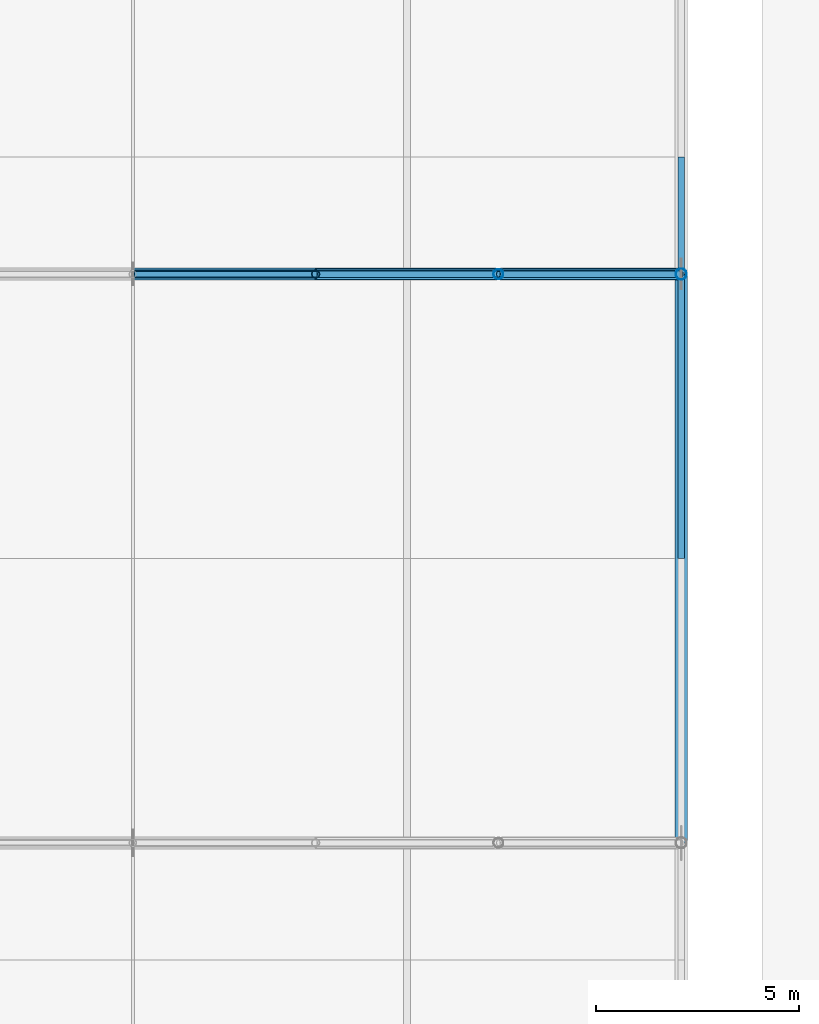
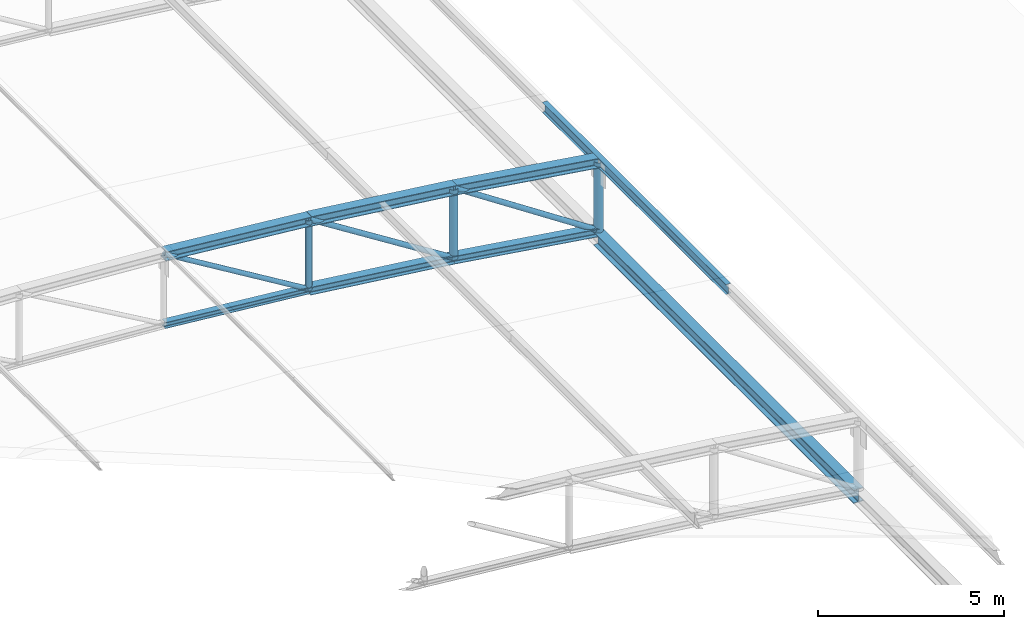
# One storey, part 170 of 262: 13 members, 1 beam.
"""IFC4 building model written with IfcOpenShell, lengths in metres."""

from ifc_helpers import new_model, si_unit, derived_unit, direction, frame, origin, origin_2d, place, context, subcontext, project, spatial, hollow_circle, i_section, extrude, material, material_profile, profile_set, type_object, element, save


model = new_model("IFC4")

# Units and contexts
model_context = context("Model", 3, precision=1e-05, world=origin(), true_north=direction((0.0, 1.0)))
body_context = subcontext(model_context, "Body", "Model", "MODEL_VIEW")
ifc_project = project(units=[si_unit("LENGTHUNIT", "METRE"), si_unit("AREAUNIT", "SQUARE_METRE"), si_unit("VOLUMEUNIT", "CUBIC_METRE"), si_unit("PLANEANGLEUNIT", "RADIAN"), si_unit("MASSUNIT", "GRAM", prefix="KILO"), derived_unit("THERMALTRANSMITTANCEUNIT", [(si_unit("POWERUNIT", "WATT"), 1), (si_unit("LENGTHUNIT", "METRE"), -2), (si_unit("THERMODYNAMICTEMPERATUREUNIT", "KELVIN"), -1)])], contexts=[model_context])

# Site, building, storey
site_placement = place(None, origin())
site = spatial("IfcSite", under=ifc_project, at=site_placement, CompositionType="ELEMENT")
building_placement = place(site_placement, origin())
building = spatial("IfcBuilding", under=site, at=building_placement, Name="Almenara Railside Exhibition Hall", CompositionType="ELEMENT")
storey_placement = place(building_placement, frame((0.0, 0.0, 21.699951171875)))
storey = spatial("IfcBuildingStorey", under=building, at=storey_placement, Name="RF", CompositionType="ELEMENT", Elevation=21.699951171875)

# Members
ifc_material = material(Name="Structural steel S355JR", Category="steel")
ifc_material_profile_1 = material_profile(ifc_material, i_section(OverallWidth=0.300048828125, OverallDepth=0.300048828125, WebThickness=0.010986328125, FlangeThickness=0.01904296875, FilletRadius=0.027099609375, at=origin_2d()), Name="HEB 300")
ifc_profile_set_1 = profile_set([ifc_material_profile_1], Name="Structural steel S355JR")
member_type_1 = type_object("IfcMemberType", Name="Arched Inner Top Chord HEB 300 S355JR", PredefinedType="CHORD", material=ifc_profile_set_1)
member_1_placement = place(storey_placement, frame((178.5, 90.0, -5.64990234375), z_axis=(0.995512933083, 0.0, -0.094625578275), x_axis=(0.0, 1.0, 0.0)))
element("IfcMember", 1, at=member_1_placement, inside=storey, type_object=member_type_1, Name="MEM-TC-V2-04-09", PredefinedType="CHORD", context=body_context, shape_type="SweptSolid", body=[
    extrude(i_section(OverallWidth=0.300048828125, OverallDepth=0.300048828125, WebThickness=0.010986328125, FlangeThickness=0.01904296875, FilletRadius=0.027099609375, at=origin_2d()), origin(), (0.0, 0.0, 1.0), 4.520263671875),
])
ifc_material_profile_2 = material_profile(ifc_material, i_section(OverallWidth=0.260009765625, OverallDepth=0.260009765625, WebThickness=0.010009765625, FlangeThickness=0.017578125, FilletRadius=0.02392578125, at=origin_2d()), Name="HEB 260")
ifc_profile_set_2 = profile_set([ifc_material_profile_2], Name="Structural steel S355JR")
member_type_2 = type_object("IfcMemberType", Name="Arched Truss Bottom Chord HEB 260 S355JR", PredefinedType="CHORD", material=ifc_profile_set_2)
member_2_placement = place(storey_placement, frame((183.0, 90.0, -8.377685546875), z_axis=(0.992612220818, 0.0, -0.121330041965), x_axis=(0.0, 1.0, 0.0)))
element("IfcMember", 2, at=member_2_placement, inside=storey, type_object=member_type_2, Name="MEM-BC-V2-04-10", PredefinedType="CHORD", context=body_context, shape_type="SweptSolid", body=[
    extrude(i_section(OverallWidth=0.260009765625, OverallDepth=0.260009765625, WebThickness=0.010009765625, FlangeThickness=0.017578125, FilletRadius=0.02392578125, at=origin_2d()), origin(), (0.0, 0.0, 1.0), 4.533447265625),
])
member_3_placement = place(storey_placement, frame((187.5, 90.0, -8.927734375), z_axis=(0.9890290442, 0.0, -0.147721189165), x_axis=(0.0, 1.0, 0.0)))
element("IfcMember", 3, at=member_3_placement, inside=storey, type_object=member_type_2, Name="MEM-BC-V2-04-11", PredefinedType="CHORD", context=body_context, shape_type="SweptSolid", body=[
    extrude(i_section(OverallWidth=0.260009765625, OverallDepth=0.260009765625, WebThickness=0.010009765625, FlangeThickness=0.017578125, FilletRadius=0.02392578125, at=origin_2d()), origin(), (0.0, 0.0, 1.0), 4.5498046875),
])
ifc_material_profile_3 = material_profile(ifc_material, i_section(OverallWidth=0.300048828125, OverallDepth=0.320068359375, WebThickness=0.011474609375, FlangeThickness=0.0205078125, FilletRadius=0.027099609375, at=origin_2d()), Name="HEB 320")
ifc_profile_set_3 = profile_set([ifc_material_profile_3], Name="Structural steel S355JR")
member_type_3 = type_object("IfcMemberType", Name="Arched Truss Top Chord HEB 320 S355JR", PredefinedType="CHORD", material=ifc_profile_set_3)
member_4_placement = place(storey_placement, frame((183.0, 90.0, -6.07763671875), z_axis=(0.992612220818, 0.0, -0.121330041965), x_axis=(0.0, 1.0, 0.0)))
element("IfcMember", 4, at=member_4_placement, inside=storey, type_object=member_type_3, Name="MEM-TC-V2-04-10", PredefinedType="CHORD", context=body_context, shape_type="SweptSolid", body=[
    extrude(i_section(OverallWidth=0.300048828125, OverallDepth=0.320068359375, WebThickness=0.011474609375, FlangeThickness=0.0205078125, FilletRadius=0.027099609375, at=origin_2d()), origin(), (0.0, 0.0, 1.0), 4.533447265625),
])
member_5_placement = place(storey_placement, frame((187.5, 90.0, -6.627685546875), z_axis=(0.989021203369, 0.0, -0.147773675894), x_axis=(0.0, 1.0, 0.0)))
element("IfcMember", 5, at=member_5_placement, inside=storey, type_object=member_type_3, Name="MEM-TC-V2-04-11", PredefinedType="CHORD", context=body_context, shape_type="SweptSolid", body=[
    extrude(i_section(OverallWidth=0.300048828125, OverallDepth=0.320068359375, WebThickness=0.011474609375, FlangeThickness=0.0205078125, FilletRadius=0.027099609375, at=origin_2d()), origin(), (0.0, 0.0, 1.0), 4.550048828125),
])
ifc_material_profile_4 = material_profile(ifc_material, i_section(OverallWidth=0.199951171875, OverallDepth=0.199951171875, WebThickness=0.009033203125, FlangeThickness=0.014892578125, FilletRadius=0.01806640625, at=origin_2d()), Name="HEB 200")
ifc_profile_set_4 = profile_set([ifc_material_profile_4], Name="Structural steel S355JR")
member_type_4 = type_object("IfcMemberType", Name="Canopy Collar Chord HEB 200 S355JR", PredefinedType="CHORD", material=ifc_profile_set_4)
member_6_placement = place(storey_placement, frame((178.5, 90.0, -7.949951171875), z_axis=(0.995512933083, 0.0, -0.094625578275), x_axis=(0.0, 1.0, 0.0)))
element("IfcMember", 6, at=member_6_placement, inside=storey, type_object=member_type_4, Name="MEM-BC-V2-04-09", PredefinedType="CHORD", context=body_context, shape_type="SweptSolid", body=[
    extrude(i_section(OverallWidth=0.199951171875, OverallDepth=0.199951171875, WebThickness=0.009033203125, FlangeThickness=0.014892578125, FilletRadius=0.01806640625, at=origin_2d()), origin(), (0.0, 0.0, 1.0), 4.520263671875),
])
ifc_material_profile_5 = material_profile(ifc_material, i_section(OverallWidth=0.159912109375, OverallDepth=0.330078125, WebThickness=0.007568359375, FlangeThickness=0.011474609375, FilletRadius=0.01806640625, at=origin_2d()), Name="IPE 330")
ifc_profile_set_5 = profile_set([ifc_material_profile_5], Name="Structural steel S355JR")
member_type_5 = type_object("IfcMemberType", Name="Gable Bay Purlin IPE 330 S355JR", PredefinedType="PURLIN", material=ifc_profile_set_5)
member_7_placement = place(storey_placement, frame((192.0, 83.0, -7.285400390625), z_axis=(0.0, 1.0, 0.0), x_axis=(-1.0, 0.0, 0.0)))
element("IfcMember", 7, at=member_7_placement, inside=storey, type_object=member_type_5, Name="MEM-PR-V2-PR-IPE330-08-14", PredefinedType="PURLIN", context=body_context, shape_type="SweptSolid", body=[
    extrude(i_section(OverallWidth=0.159912109375, OverallDepth=0.330078125, WebThickness=0.007568359375, FlangeThickness=0.011474609375, FilletRadius=0.01806640625, at=origin_2d()), origin(), (0.0, 0.0, 1.0), 9.8798828125),
])

# Beam
ifc_material_profile_6 = material_profile(ifc_material, i_section(OverallWidth=0.300048828125, OverallDepth=0.449951171875, WebThickness=0.013916015625, FlangeThickness=0.02587890625, FilletRadius=0.027099609375, at=origin_2d()), Name="HEB 450")
ifc_profile_set_6 = profile_set([ifc_material_profile_6], Name="Structural steel S355JR")
beam_type = type_object("IfcBeamType", Name="Steel Roof Eaves Tie Girder HEB 450 S355JR", PredefinedType="USERDEFINED", material=ifc_profile_set_6)
beam_placement = place(storey_placement, frame((192.0, 76.0, -9.824951171875), z_axis=(0.0, 1.0, 0.0), x_axis=(-1.0, 0.0, 0.0)))
element("IfcBeam", 8, at=beam_placement, inside=storey, type_object=beam_type, Name="Beam 0982", ObjectType="GIRDER", PredefinedType="USERDEFINED", context=body_context, shape_type="SweptSolid", body=[
    extrude(i_section(OverallWidth=0.300048828125, OverallDepth=0.449951171875, WebThickness=0.013916015625, FlangeThickness=0.02587890625, FilletRadius=0.027099609375, at=origin_2d()), origin(), (0.0, 0.0, 1.0), 14.0),
])

# Members
ifc_material_profile_7 = material_profile(ifc_material, hollow_circle(Radius=0.084228515625, WallThickness=0.006103515625, at=origin_2d()), Name="CHS 168.3x6")
ifc_profile_set_7 = profile_set([ifc_material_profile_7], Name="Structural steel S355JR")
member_type_6 = type_object("IfcMemberType", Name="Truss End Diagonal CHS 168.3x6 S355JR", PredefinedType="BRACE", material=ifc_profile_set_7)
member_8_placement = place(storey_placement, frame((183.0, 90.0, -6.07763671875), z_axis=(0.844810788273, 0.0, -0.535065166141), x_axis=(0.0, 1.0, 0.0)))
element("IfcMember", 9, at=member_8_placement, inside=storey, type_object=member_type_6, Name="MEM-TD-V2-04-10", PredefinedType="BRACE", context=body_context, shape_type="SweptSolid", body=[
    extrude(hollow_circle(Radius=0.084228515625, WallThickness=0.006103515625, at=origin_2d()), origin(), (0.0, 0.0, 1.0), 5.32666015625),
])
member_9_placement = place(storey_placement, frame((187.5, 90.0, -6.627685546875), z_axis=(0.834424544227, 0.0, -0.551122200598), x_axis=(0.0, 1.0, 0.0)))
element("IfcMember", 10, at=member_9_placement, inside=storey, type_object=member_type_6, Name="MEM-TD-V2-04-11", PredefinedType="BRACE", context=body_context, shape_type="SweptSolid", body=[
    extrude(hollow_circle(Radius=0.084228515625, WallThickness=0.006103515625, at=origin_2d()), origin(), (0.0, 0.0, 1.0), 5.392822265625),
])
ifc_material_profile_8 = material_profile(ifc_material, hollow_circle(Radius=0.122314453125, WallThickness=0.008056640625, at=origin_2d()), Name="CHS 244.5x8")
ifc_profile_set_8 = profile_set([ifc_material_profile_8], Name="Structural steel S355JR")
member_type_7 = type_object("IfcMemberType", Name="Truss Haunch Vertical Strut CHS 244.5x8 S355JR", PredefinedType="BRACE", material=ifc_profile_set_8)
member_10_placement = place(storey_placement, frame((187.5, 90.0, -8.927734375), z_axis=(0.0, 0.0, 1.0), x_axis=(1.0, 0.0, 0.0)))
element("IfcMember", 11, at=member_10_placement, inside=storey, type_object=member_type_7, Name="MEM-TV-V2-04-11", PredefinedType="BRACE", context=body_context, shape_type="SweptSolid", body=[
    extrude(hollow_circle(Radius=0.122314453125, WallThickness=0.008056640625, at=origin_2d()), origin(), (0.0, 0.0, 1.0), 2.300048828125),
])
ifc_material_profile_9 = material_profile(ifc_material, hollow_circle(Radius=0.076171875, WallThickness=0.0048828125, at=origin_2d()), Name="CHS 152.4x5")
ifc_profile_set_9 = profile_set([ifc_material_profile_9], Name="Structural steel S355JR")
member_type_8 = type_object("IfcMemberType", Name="Truss Mid Diagonal CHS 152.4x5 S355JR", PredefinedType="BRACE", material=ifc_profile_set_9)
member_11_placement = place(storey_placement, frame((178.5, 90.0, -5.64990234375), z_axis=(0.855154829777, 0.0, -0.518372662386), x_axis=(0.0, 1.0, 0.0)))
element("IfcMember", 12, at=member_11_placement, inside=storey, type_object=member_type_8, Name="MEM-TD-V2-04-09", PredefinedType="BRACE", context=body_context, shape_type="SweptSolid", body=[
    extrude(hollow_circle(Radius=0.076171875, WallThickness=0.0048828125, at=origin_2d()), origin(), (0.0, 0.0, 1.0), 5.26220703125),
])
ifc_material_profile_10 = material_profile(ifc_material, hollow_circle(Radius=0.096923828125, WallThickness=0.00634765625, at=origin_2d()), Name="CHS 193.7x6.3")
ifc_profile_set_10 = profile_set([ifc_material_profile_10], Name="Structural steel S355JR")
member_type_9 = type_object("IfcMemberType", Name="Truss Standard Vertical Strut CHS 193.7x6.3 S355JR", PredefinedType="BRACE", material=ifc_profile_set_10)
member_12_placement = place(storey_placement, frame((183.0, 90.0, -8.377685546875), z_axis=(0.0, 0.0, 1.0), x_axis=(1.0, 0.0, 0.0)))
element("IfcMember", 13, at=member_12_placement, inside=storey, type_object=member_type_9, Name="MEM-TV-V2-04-10", PredefinedType="BRACE", context=body_context, shape_type="SweptSolid", body=[
    extrude(hollow_circle(Radius=0.096923828125, WallThickness=0.00634765625, at=origin_2d()), origin(), (0.0, 0.0, 1.0), 2.300048828125),
])
ifc_material_profile_11 = material_profile(ifc_material, hollow_circle(Radius=0.136474609375, WallThickness=0.008056640625, at=origin_2d()), Name="CHS 273x8")
ifc_profile_set_11 = profile_set([ifc_material_profile_11], Name="Structural steel S355JR")
member_type_10 = type_object("IfcMemberType", Name="Truss Support Vertical Strut CHS 273x8 S355JR", PredefinedType="BRACE", material=ifc_profile_set_11)
member_13_placement = place(storey_placement, frame((192.0, 90.0, -9.599853515625), z_axis=(0.0, 0.0, 1.0), x_axis=(1.0, 0.0, 0.0)))
element("IfcMember", 14, at=member_13_placement, inside=storey, type_object=member_type_10, Name="MEM-TV-V2-04-12", PredefinedType="BRACE", context=body_context, shape_type="SweptSolid", body=[
    extrude(hollow_circle(Radius=0.136474609375, WallThickness=0.008056640625, at=origin_2d()), origin(), (0.0, 0.0, 1.0), 2.2998046875),
])

save(model, "model.ifc")
